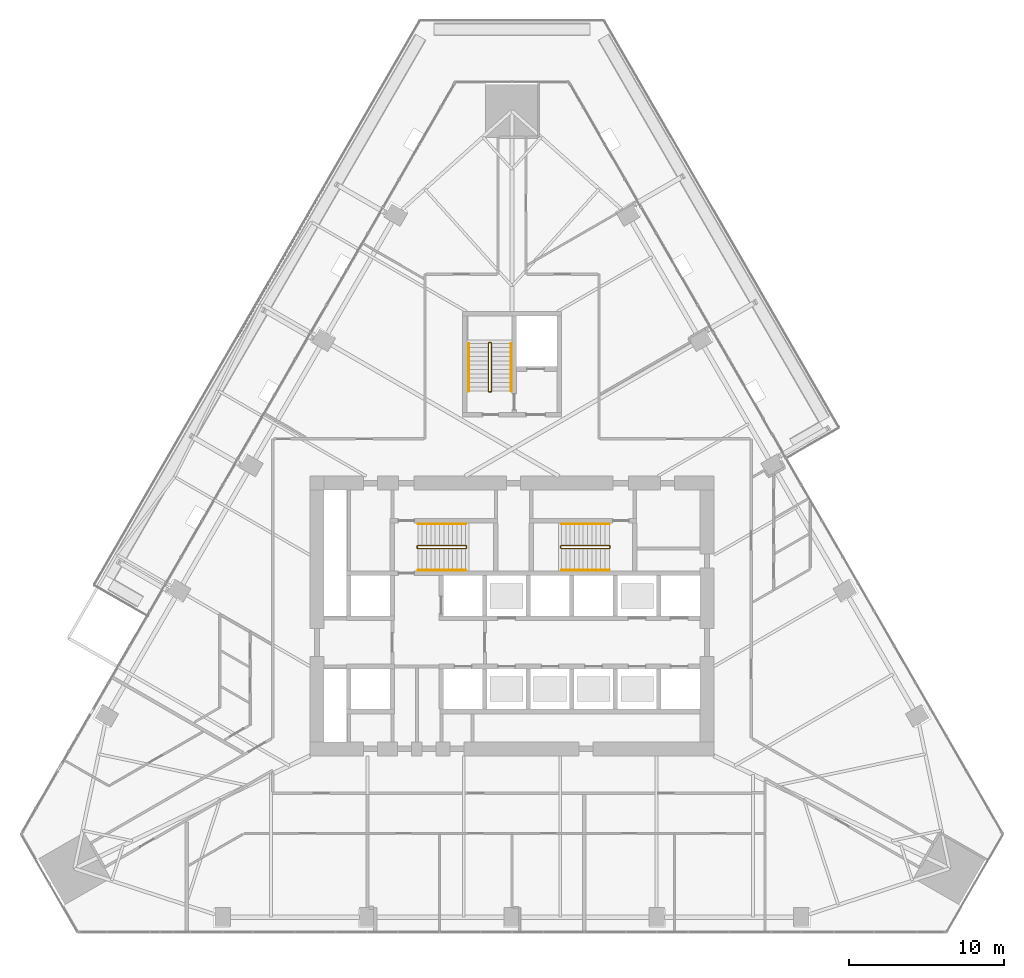
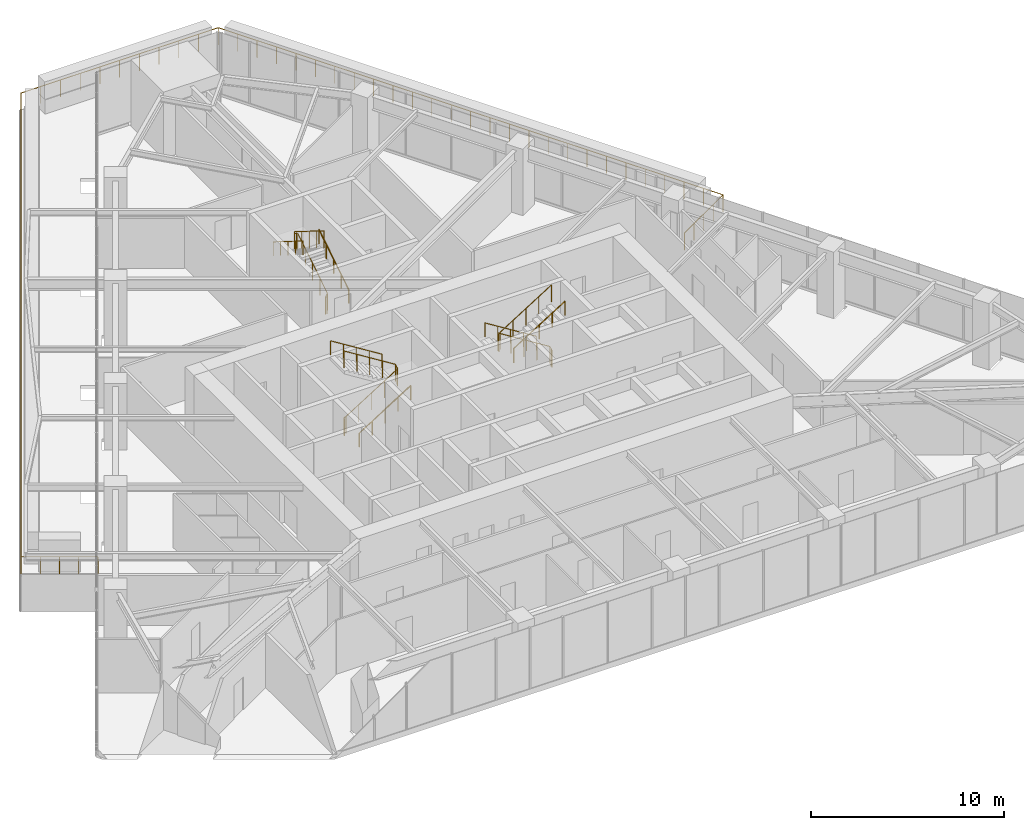
# One storey, part 24 of 26: 10 railings.
"""IFC4 building model written with IfcOpenShell, lengths in metres."""

from ifc_helpers import new_model, si_unit, direction, frame, origin, origin_2d, place, context, subcontext, project, spatial, circle, extrude, material, type_object, element, save


model = new_model("IFC4")

# Units and contexts
model_context = context("Model", 3, precision=1e-05, world=origin(), true_north=direction((0.0, 1.0)))
body_context = subcontext(model_context, "Body", "Model", "MODEL_VIEW")
ifc_project = project(units=[si_unit("LENGTHUNIT", "METRE"), si_unit("AREAUNIT", "SQUARE_METRE"), si_unit("VOLUMEUNIT", "CUBIC_METRE"), si_unit("PLANEANGLEUNIT", "RADIAN"), si_unit("MASSUNIT", "GRAM", prefix="KILO")], contexts=[model_context])

# Site, building, storey
site_placement = place(None, origin())
site = spatial("IfcSite", under=ifc_project, at=site_placement, CompositionType="ELEMENT")
building_placement = place(site_placement, origin())
building = spatial("IfcBuilding", under=site, at=building_placement, Name="Firuza Gate Tower and Library", CompositionType="ELEMENT")
storey_placement = place(building_placement, frame((0.0, 0.0, 115.60009765625)))
storey = spatial("IfcBuildingStorey", under=building, at=storey_placement, Name="L26", CompositionType="ELEMENT", Elevation=115.60009765625)

# Railings
ifc_material_1 = material(Name="Steel S355", Category="steel")
railing_type_1 = type_object("IfcRailingType", Name="Stair guard 1100", PredefinedType="GUARDRAIL", material=ifc_material_1)
railing_1_placement = place(storey_placement, frame((68.889892578125, 79.389892578125, 0.0)))
element("IfcRailing", 1, at=railing_1_placement, inside=storey, type_object=railing_type_1, Name="L26 ST1 stair guard 1", PredefinedType="GUARDRAIL", context=body_context, shape_type="SweptSolid", body=[
    extrude(circle(Radius=0.02392578125, at=origin_2d()), frame((0.0, 0.0, 1.076171875), z_axis=(0.0, 1.0, 0.0), x_axis=(-1.0, 0.0, 0.0)), (0.0, 0.0, 1.0), 0.10009765625),
    extrude(circle(Radius=0.02392578125, at=origin_2d()), frame((0.0, 0.10009765625, 1.076171875), z_axis=(0.212383695785, -0.636115069328, 0.741788908207), x_axis=(0.948528701346, 0.316691178788, 0.0)), (0.0, 0.0, 1.0), 0.235595703125),
    extrude(circle(Radius=0.02392578125, at=origin_2d()), frame((0.050048828125, -0.0498046875, 1.2509765625), z_axis=(0.847998304005, 0.0, 0.529998940003), x_axis=(0.0, 1.0, 0.0)), (0.0, 0.0, 1.0), 3.632080078125),
    extrude(circle(Radius=0.02392578125, at=origin_2d()), frame((3.130126953125, -0.0498046875, 3.17578125), z_axis=(0.708833529934, 0.705375805398, 0.0), x_axis=(-0.705375805398, 0.708833529934, 0.0)), (0.0, 0.0, 1.0), 0.070556640625),
    extrude(circle(Radius=0.02392578125, at=origin_2d()), frame((3.18017578125, 0.0, 3.17578125), z_axis=(0.0, 1.0, 0.0), x_axis=(-1.0, 0.0, 0.0)), (0.0, 0.0, 1.0), 0.10009765625),
    extrude(circle(Radius=0.02392578125, at=origin_2d()), frame((3.18017578125, 0.10009765625, 3.17578125), z_axis=(-0.265065253269, 0.265065253269, 0.927081885822), x_axis=(-0.707106781187, -0.707106781187, 0.0)), (0.0, 0.0, 1.0), 0.188720703125),
    extrude(circle(Radius=0.02392578125, at=origin_2d()), frame((3.130126953125, 0.150146484375, 3.35107421875), z_axis=(-0.847998304005, 0.0, 0.529998940003), x_axis=(0.0, -1.0, 0.0)), (0.0, 0.0, 1.0), 3.632080078125),
    extrude(circle(Radius=0.02099609375, at=origin_2d()), origin(), (0.0, 0.0, 1.0), 1.052001953125),
    extrude(circle(Radius=0.02099609375, at=origin_2d()), frame((0.0, 0.10009765625, 0.0)), (0.0, 0.0, 1.0), 1.052001953125),
    extrude(circle(Radius=0.02099609375, at=origin_2d()), frame((0.050048828125, -0.0498046875, 0.1748046875)), (0.0, 0.0, 1.0), 1.052001953125),
    extrude(circle(Radius=0.02099609375, at=origin_2d()), frame((0.820068359375, -0.0498046875, 0.656005859375)), (0.0, 0.0, 1.0), 1.052001953125),
    extrude(circle(Radius=0.02099609375, at=origin_2d()), frame((1.590087890625, -0.0498046875, 1.13720703125)), (0.0, 0.0, 1.0), 1.052001953125),
    extrude(circle(Radius=0.02099609375, at=origin_2d()), frame((2.360107421875, -0.0498046875, 1.61865234375)), (0.0, 0.0, 1.0), 1.052001953125),
    extrude(circle(Radius=0.02099609375, at=origin_2d()), frame((3.130126953125, -0.0498046875, 2.099853515625)), (0.0, 0.0, 1.0), 1.052001953125),
    extrude(circle(Radius=0.02099609375, at=origin_2d()), frame((3.18017578125, 0.0, 2.099853515625)), (0.0, 0.0, 1.0), 1.052001953125),
    extrude(circle(Radius=0.02099609375, at=origin_2d()), frame((3.18017578125, 0.10009765625, 2.099853515625)), (0.0, 0.0, 1.0), 1.052001953125),
    extrude(circle(Radius=0.02099609375, at=origin_2d()), frame((3.130126953125, 0.150146484375, 2.27490234375)), (0.0, 0.0, 1.0), 1.052001953125),
    extrude(circle(Radius=0.02099609375, at=origin_2d()), frame((2.360107421875, 0.150146484375, 2.756103515625)), (0.0, 0.0, 1.0), 1.052001953125),
    extrude(circle(Radius=0.02099609375, at=origin_2d()), frame((1.590087890625, 0.150146484375, 3.2373046875)), (0.0, 0.0, 1.0), 1.052001953125),
    extrude(circle(Radius=0.02099609375, at=origin_2d()), frame((0.820068359375, 0.150146484375, 3.71875)), (0.0, 0.0, 1.0), 1.052001953125),
    extrude(circle(Radius=0.02099609375, at=origin_2d()), frame((0.050048828125, 0.150146484375, 4.199951171875)), (0.0, 0.0, 1.0), 1.052001953125),
])
railing_2_placement = place(storey_placement, frame((81.31005859375, 79.489990234375, 0.0)))
element("IfcRailing", 2, at=railing_2_placement, inside=storey, type_object=railing_type_1, Name="L26 ST2 stair guard 1", PredefinedType="GUARDRAIL", context=body_context, shape_type="SweptSolid", body=[
    extrude(circle(Radius=0.02392578125, at=origin_2d()), frame((0.0, 0.0, 1.076171875), z_axis=(0.0, -1.0, 0.0), x_axis=(1.0, 0.0, 0.0)), (0.0, 0.0, 1.0), 0.10009765625),
    extrude(circle(Radius=0.02392578125, at=origin_2d()), frame((0.0, -0.10009765625, 1.076171875), z_axis=(-0.21224375372, 0.63673126116, 0.741300134944), x_axis=(-0.948683298051, -0.316227766017, 0.0)), (0.0, 0.0, 1.0), 0.23583984375),
    extrude(circle(Radius=0.02392578125, at=origin_2d()), frame((-0.050048828125, 0.050048828125, 1.2509765625), z_axis=(-0.847998304005, 0.0, 0.529998940003), x_axis=(0.0, -1.0, 0.0)), (0.0, 0.0, 1.0), 3.632080078125),
    extrude(circle(Radius=0.02392578125, at=origin_2d()), frame((-3.130126953125, 0.050048828125, 3.17578125), z_axis=(-0.707106781187, -0.707106781187, 0.0), x_axis=(0.707106781187, -0.707106781187, 0.0)), (0.0, 0.0, 1.0), 0.07080078125),
    extrude(circle(Radius=0.02392578125, at=origin_2d()), frame((-3.18017578125, 0.0, 3.17578125), z_axis=(0.0, -1.0, 0.0), x_axis=(1.0, 0.0, 0.0)), (0.0, 0.0, 1.0), 0.10009765625),
    extrude(circle(Radius=0.02392578125, at=origin_2d()), frame((-3.18017578125, -0.10009765625, 3.17578125), z_axis=(0.265155923931, -0.263862480399, 0.927399011991), x_axis=(0.705375805398, 0.708833529934, 0.0)), (0.0, 0.0, 1.0), 0.188720703125),
    extrude(circle(Radius=0.02392578125, at=origin_2d()), frame((-3.130126953125, -0.14990234375, 3.35107421875), z_axis=(0.847998304005, 0.0, 0.529998940003), x_axis=(0.0, 1.0, 0.0)), (0.0, 0.0, 1.0), 3.632080078125),
    extrude(circle(Radius=0.02099609375, at=origin_2d()), origin(), (0.0, 0.0, 1.0), 1.052001953125),
    extrude(circle(Radius=0.02099609375, at=origin_2d()), frame((0.0, -0.10009765625, 0.0)), (0.0, 0.0, 1.0), 1.052001953125),
    extrude(circle(Radius=0.02099609375, at=origin_2d()), frame((-0.050048828125, 0.050048828125, 0.1748046875)), (0.0, 0.0, 1.0), 1.052001953125),
    extrude(circle(Radius=0.02099609375, at=origin_2d()), frame((-0.820068359375, 0.050048828125, 0.656005859375)), (0.0, 0.0, 1.0), 1.052001953125),
    extrude(circle(Radius=0.02099609375, at=origin_2d()), frame((-1.590087890625, 0.050048828125, 1.13720703125)), (0.0, 0.0, 1.0), 1.052001953125),
    extrude(circle(Radius=0.02099609375, at=origin_2d()), frame((-2.360107421875, 0.050048828125, 1.61865234375)), (0.0, 0.0, 1.0), 1.052001953125),
    extrude(circle(Radius=0.02099609375, at=origin_2d()), frame((-3.130126953125, 0.050048828125, 2.099853515625)), (0.0, 0.0, 1.0), 1.052001953125),
    extrude(circle(Radius=0.02099609375, at=origin_2d()), frame((-3.18017578125, 0.0, 2.099853515625)), (0.0, 0.0, 1.0), 1.052001953125),
    extrude(circle(Radius=0.02099609375, at=origin_2d()), frame((-3.18017578125, -0.10009765625, 2.099853515625)), (0.0, 0.0, 1.0), 1.052001953125),
    extrude(circle(Radius=0.02099609375, at=origin_2d()), frame((-3.130126953125, -0.14990234375, 2.27490234375)), (0.0, 0.0, 1.0), 1.052001953125),
    extrude(circle(Radius=0.02099609375, at=origin_2d()), frame((-2.360107421875, -0.14990234375, 2.756103515625)), (0.0, 0.0, 1.0), 1.052001953125),
    extrude(circle(Radius=0.02099609375, at=origin_2d()), frame((-1.590087890625, -0.14990234375, 3.2373046875)), (0.0, 0.0, 1.0), 1.052001953125),
    extrude(circle(Radius=0.02099609375, at=origin_2d()), frame((-0.820068359375, -0.14990234375, 3.71875)), (0.0, 0.0, 1.0), 1.052001953125),
    extrude(circle(Radius=0.02099609375, at=origin_2d()), frame((-0.050048828125, -0.14990234375, 4.199951171875)), (0.0, 0.0, 1.0), 1.052001953125),
])
railing_3_placement = place(storey_placement, frame((73.6298828125, 89.419921875, 0.0)))
element("IfcRailing", 3, at=railing_3_placement, inside=storey, type_object=railing_type_1, Name="L26 ST3 stair guard 1", PredefinedType="GUARDRAIL", context=body_context, shape_type="SweptSolid", body=[
    extrude(circle(Radius=0.02392578125, at=origin_2d()), frame((0.0, 0.0, 1.076171875), z_axis=(-1.0, 0.0, 0.0), x_axis=(0.0, -1.0, 0.0)), (0.0, 0.0, 1.0), 0.099853515625),
    extrude(circle(Radius=0.02392578125, at=origin_2d()), frame((-0.099853515625, 0.0, 1.076171875), z_axis=(0.636115069328, 0.212383695785, 0.741788908207), x_axis=(-0.316691178788, 0.948528701346, 0.0)), (0.0, 0.0, 1.0), 0.235595703125),
    extrude(circle(Radius=0.02392578125, at=origin_2d()), frame((0.050048828125, 0.050048828125, 1.2509765625), z_axis=(0.0, 0.847998304005, 0.529998940003), x_axis=(-1.0, 0.0, 0.0)), (0.0, 0.0, 1.0), 3.632080078125),
    extrude(circle(Radius=0.02392578125, at=origin_2d()), frame((0.050048828125, 3.130126953125, 3.17578125), z_axis=(-0.707106781187, 0.707106781187, 0.0), x_axis=(-0.707106781187, -0.707106781187, 0.0)), (0.0, 0.0, 1.0), 0.07080078125),
    extrude(circle(Radius=0.02392578125, at=origin_2d()), frame((0.0, 3.18017578125, 3.17578125), z_axis=(-1.0, 0.0, 0.0), x_axis=(0.0, -1.0, 0.0)), (0.0, 0.0, 1.0), 0.099853515625),
    extrude(circle(Radius=0.02392578125, at=origin_2d()), frame((-0.099853515625, 3.18017578125, 3.17578125), z_axis=(-0.265065253269, -0.265065253269, 0.927081885822), x_axis=(0.707106781187, -0.707106781187, 0.0)), (0.0, 0.0, 1.0), 0.188720703125),
    extrude(circle(Radius=0.02392578125, at=origin_2d()), frame((-0.14990234375, 3.130126953125, 3.35107421875), z_axis=(0.0, -0.847998304005, 0.529998940003), x_axis=(1.0, 0.0, 0.0)), (0.0, 0.0, 1.0), 3.632080078125),
    extrude(circle(Radius=0.02099609375, at=origin_2d()), origin(), (0.0, 0.0, 1.0), 1.052001953125),
    extrude(circle(Radius=0.02099609375, at=origin_2d()), frame((-0.099853515625, 0.0, 0.0)), (0.0, 0.0, 1.0), 1.052001953125),
    extrude(circle(Radius=0.02099609375, at=origin_2d()), frame((0.050048828125, 0.050048828125, 0.1748046875)), (0.0, 0.0, 1.0), 1.052001953125),
    extrude(circle(Radius=0.02099609375, at=origin_2d()), frame((0.050048828125, 0.820068359375, 0.656005859375)), (0.0, 0.0, 1.0), 1.052001953125),
    extrude(circle(Radius=0.02099609375, at=origin_2d()), frame((0.050048828125, 1.590087890625, 1.13720703125)), (0.0, 0.0, 1.0), 1.052001953125),
    extrude(circle(Radius=0.02099609375, at=origin_2d()), frame((0.050048828125, 2.360107421875, 1.61865234375)), (0.0, 0.0, 1.0), 1.052001953125),
    extrude(circle(Radius=0.02099609375, at=origin_2d()), frame((0.050048828125, 3.130126953125, 2.099853515625)), (0.0, 0.0, 1.0), 1.052001953125),
    extrude(circle(Radius=0.02099609375, at=origin_2d()), frame((0.0, 3.18017578125, 2.099853515625)), (0.0, 0.0, 1.0), 1.052001953125),
    extrude(circle(Radius=0.02099609375, at=origin_2d()), frame((-0.099853515625, 3.18017578125, 2.099853515625)), (0.0, 0.0, 1.0), 1.052001953125),
    extrude(circle(Radius=0.02099609375, at=origin_2d()), frame((-0.14990234375, 3.130126953125, 2.27490234375)), (0.0, 0.0, 1.0), 1.052001953125),
    extrude(circle(Radius=0.02099609375, at=origin_2d()), frame((-0.14990234375, 2.360107421875, 2.756103515625)), (0.0, 0.0, 1.0), 1.052001953125),
    extrude(circle(Radius=0.02099609375, at=origin_2d()), frame((-0.14990234375, 1.590087890625, 3.2373046875)), (0.0, 0.0, 1.0), 1.052001953125),
    extrude(circle(Radius=0.02099609375, at=origin_2d()), frame((-0.14990234375, 0.820068359375, 3.71875)), (0.0, 0.0, 1.0), 1.052001953125),
    extrude(circle(Radius=0.02099609375, at=origin_2d()), frame((-0.14990234375, 0.050048828125, 4.199951171875)), (0.0, 0.0, 1.0), 1.052001953125),
])
ifc_material_2 = material(Name="Steel S355", Category="steel")
railing_type_2 = type_object("IfcRailingType", Name="Stair handrail 900", PredefinedType="HANDRAIL", material=ifc_material_2)
railing_4_placement = place(storey_placement, frame((68.93994140625, 77.949951171875, 0.1748046875)))
element("IfcRailing", 4, at=railing_4_placement, inside=storey, type_object=railing_type_2, Name="L26 ST1 stair handrail 1", PredefinedType="HANDRAIL", context=body_context, shape_type="SweptSolid", body=[
    extrude(circle(Radius=0.02392578125, at=origin_2d()), frame((0.0, 0.0, 0.8759765625), z_axis=(0.847998304005, 0.0, 0.529998940003), x_axis=(0.0, 1.0, 0.0)), (0.0, 0.0, 1.0), 3.632080078125),
    extrude(circle(Radius=0.02099609375, at=origin_2d()), origin(), (0.0, 0.0, 1.0), 0.851806640625),
    extrude(circle(Radius=0.02099609375, at=origin_2d()), frame((0.77001953125, 0.0, 0.481201171875)), (0.0, 0.0, 1.0), 0.851806640625),
    extrude(circle(Radius=0.02099609375, at=origin_2d()), frame((1.5400390625, 0.0, 0.96240234375)), (0.0, 0.0, 1.0), 0.851806640625),
    extrude(circle(Radius=0.02099609375, at=origin_2d()), frame((2.31005859375, 0.0, 1.44384765625)), (0.0, 0.0, 1.0), 0.851806640625),
    extrude(circle(Radius=0.02099609375, at=origin_2d()), frame((3.080078125, 0.0, 1.925048828125)), (0.0, 0.0, 1.0), 0.851806640625),
])
for number, where, name in (
    (5, (72.02001953125, 80.929931640625, 2.27490234375), "L26 ST1 stair handrail 2"),
    (6, (81.260009765625, 80.929931640625, 0.1748046875), "L26 ST2 stair handrail 1"),
):
    element("IfcRailing", number, at=place(storey_placement, frame(where)), inside=storey, type_object=railing_type_2, Name=name, PredefinedType="HANDRAIL", context=body_context, shape_type="SweptSolid", body=[
        extrude(circle(Radius=0.02392578125, at=origin_2d()), frame((0.0, 0.0, 0.8759765625), z_axis=(-0.847998304005, 0.0, 0.529998940003), x_axis=(0.0, -1.0, 0.0)), (0.0, 0.0, 1.0), 3.632080078125),
        extrude(circle(Radius=0.02099609375, at=origin_2d()), origin(), (0.0, 0.0, 1.0), 0.851806640625),
        extrude(circle(Radius=0.02099609375, at=origin_2d()), frame((-0.77001953125, 0.0, 0.481201171875)), (0.0, 0.0, 1.0), 0.851806640625),
        extrude(circle(Radius=0.02099609375, at=origin_2d()), frame((-1.5400390625, 0.0, 0.96240234375)), (0.0, 0.0, 1.0), 0.851806640625),
        extrude(circle(Radius=0.02099609375, at=origin_2d()), frame((-2.31005859375, 0.0, 1.44384765625)), (0.0, 0.0, 1.0), 0.851806640625),
        extrude(circle(Radius=0.02099609375, at=origin_2d()), frame((-3.080078125, 0.0, 1.925048828125)), (0.0, 0.0, 1.0), 0.851806640625),
    ])
railing_5_placement = place(storey_placement, frame((78.179931640625, 77.949951171875, 2.27490234375)))
element("IfcRailing", 7, at=railing_5_placement, inside=storey, type_object=railing_type_2, Name="L26 ST2 stair handrail 2", PredefinedType="HANDRAIL", context=body_context, shape_type="SweptSolid", body=[
    extrude(circle(Radius=0.02392578125, at=origin_2d()), frame((0.0, 0.0, 0.8759765625), z_axis=(0.847998304005, 0.0, 0.529998940003), x_axis=(0.0, 1.0, 0.0)), (0.0, 0.0, 1.0), 3.632080078125),
    extrude(circle(Radius=0.02099609375, at=origin_2d()), origin(), (0.0, 0.0, 1.0), 0.851806640625),
    extrude(circle(Radius=0.02099609375, at=origin_2d()), frame((0.77001953125, 0.0, 0.481201171875)), (0.0, 0.0, 1.0), 0.851806640625),
    extrude(circle(Radius=0.02099609375, at=origin_2d()), frame((1.5400390625, 0.0, 0.96240234375)), (0.0, 0.0, 1.0), 0.851806640625),
    extrude(circle(Radius=0.02099609375, at=origin_2d()), frame((2.31005859375, 0.0, 1.44384765625)), (0.0, 0.0, 1.0), 0.851806640625),
    extrude(circle(Radius=0.02099609375, at=origin_2d()), frame((3.080078125, 0.0, 1.925048828125)), (0.0, 0.0, 1.0), 0.851806640625),
])
railing_6_placement = place(storey_placement, frame((74.949951171875, 89.469970703125, 0.1748046875)))
element("IfcRailing", 8, at=railing_6_placement, inside=storey, type_object=railing_type_2, Name="L26 ST3 stair handrail 1", PredefinedType="HANDRAIL", context=body_context, shape_type="SweptSolid", body=[
    extrude(circle(Radius=0.02392578125, at=origin_2d()), frame((0.0, 0.0, 0.8759765625), z_axis=(0.0, 0.847998304005, 0.529998940003), x_axis=(-1.0, 0.0, 0.0)), (0.0, 0.0, 1.0), 3.632080078125),
    extrude(circle(Radius=0.02099609375, at=origin_2d()), origin(), (0.0, 0.0, 1.0), 0.851806640625),
    extrude(circle(Radius=0.02099609375, at=origin_2d()), frame((0.0, 0.77001953125, 0.481201171875)), (0.0, 0.0, 1.0), 0.851806640625),
    extrude(circle(Radius=0.02099609375, at=origin_2d()), frame((0.0, 1.5400390625, 0.96240234375)), (0.0, 0.0, 1.0), 0.851806640625),
    extrude(circle(Radius=0.02099609375, at=origin_2d()), frame((0.0, 2.31005859375, 1.44384765625)), (0.0, 0.0, 1.0), 0.851806640625),
    extrude(circle(Radius=0.02099609375, at=origin_2d()), frame((0.0, 3.080078125, 1.925048828125)), (0.0, 0.0, 1.0), 0.851806640625),
])
railing_7_placement = place(storey_placement, frame((72.2099609375, 92.550048828125, 2.27490234375)))
element("IfcRailing", 9, at=railing_7_placement, inside=storey, type_object=railing_type_2, Name="L26 ST3 stair handrail 2", PredefinedType="HANDRAIL", context=body_context, shape_type="SweptSolid", body=[
    extrude(circle(Radius=0.02392578125, at=origin_2d()), frame((0.0, 0.0, 0.8759765625), z_axis=(0.0, -0.847998304005, 0.529998940003), x_axis=(1.0, 0.0, 0.0)), (0.0, 0.0, 1.0), 3.632080078125),
    extrude(circle(Radius=0.02099609375, at=origin_2d()), origin(), (0.0, 0.0, 1.0), 0.851806640625),
    extrude(circle(Radius=0.02099609375, at=origin_2d()), frame((0.0, -0.77001953125, 0.481201171875)), (0.0, 0.0, 1.0), 0.851806640625),
    extrude(circle(Radius=0.02099609375, at=origin_2d()), frame((0.0, -1.5400390625, 0.96240234375)), (0.0, 0.0, 1.0), 0.851806640625),
    extrude(circle(Radius=0.02099609375, at=origin_2d()), frame((0.0, -2.31005859375, 1.44384765625)), (0.0, 0.0, 1.0), 0.851806640625),
    extrude(circle(Radius=0.02099609375, at=origin_2d()), frame((0.0, -3.080078125, 1.925048828125)), (0.0, 0.0, 1.0), 0.851806640625),
])
ifc_material_3 = material(Name="Steel S355", Category="steel")
railing_type_3 = type_object("IfcRailingType", Name="Terrace guard 1100", PredefinedType="GUARDRAIL", material=ifc_material_3)
railing_8_placement = place(storey_placement, frame((92.5576171875, 85.136962890625, 0.0)))
element("IfcRailing", 10, at=railing_8_placement, inside=storey, type_object=railing_type_3, Name="Tray guard L26", PredefinedType="GUARDRAIL", context=body_context, shape_type="SweptSolid", body=[
    extrude(circle(Radius=0.02392578125, at=origin_2d()), frame((0.0, 0.0, 1.076171875), z_axis=(0.866026010844, 0.49999894854, 0.0), x_axis=(-0.49999894854, 0.866026010844, 0.0)), (0.0, 0.0, 1.0), 4.0),
    extrude(circle(Radius=0.02392578125, at=origin_2d()), frame((3.464111328125, 2.0, 1.076171875), z_axis=(-0.500003305285, 0.866023495469, 0.0), x_axis=(-0.866023495469, -0.500003305285, 0.0)), (0.0, 0.0, 1.0), 30.224365234375),
    extrude(circle(Radius=0.02392578125, at=origin_2d()), frame((-11.648193359375, 28.175048828125, 1.076171875), z_axis=(-1.0, 0.0, 0.0), x_axis=(0.0, -1.0, 0.0)), (0.0, 0.0, 1.0), 11.81884765625),
    extrude(circle(Radius=0.02392578125, at=origin_2d()), frame((-23.467041015625, 28.175048828125, 1.076171875), z_axis=(-0.500001681558, -0.866024432934, 0.0), x_axis=(0.866024432934, -0.500001681558, 0.0)), (0.0, 0.0, 1.0), 41.929443359375),
    extrude(circle(Radius=0.02392578125, at=origin_2d()), frame((-44.431884765625, -8.136962890625, 1.076171875), z_axis=(0.866026010844, -0.49999894854, 0.0), x_axis=(0.49999894854, 0.866026010844, 0.0)), (0.0, 0.0, 1.0), 4.0),
    extrude(circle(Radius=0.02099609375, at=origin_2d()), origin(), (0.0, 0.0, 1.0), 1.052001953125),
    extrude(circle(Radius=0.02099609375, at=origin_2d()), frame((0.865966796875, 0.5, 0.0)), (0.0, 0.0, 1.0), 1.052001953125),
    extrude(circle(Radius=0.02099609375, at=origin_2d()), frame((1.73193359375, 1.0, 0.0)), (0.0, 0.0, 1.0), 1.052001953125),
    extrude(circle(Radius=0.02099609375, at=origin_2d()), frame((2.59814453125, 1.5, 0.0)), (0.0, 0.0, 1.0), 1.052001953125),
    extrude(circle(Radius=0.02099609375, at=origin_2d()), frame((3.464111328125, 2.0, 0.0)), (0.0, 0.0, 1.0), 1.052001953125),
    extrude(circle(Radius=0.02099609375, at=origin_2d()), frame((2.8828125, 3.0068359375, 0.0)), (0.0, 0.0, 1.0), 1.052001953125),
    extrude(circle(Radius=0.02099609375, at=origin_2d()), frame((2.301513671875, 4.013427734375, 0.0)), (0.0, 0.0, 1.0), 1.052001953125),
    extrude(circle(Radius=0.02099609375, at=origin_2d()), frame((1.720458984375, 5.020263671875, 0.0)), (0.0, 0.0, 1.0), 1.052001953125),
    extrude(circle(Radius=0.02099609375, at=origin_2d()), frame((1.13916015625, 6.02685546875, 0.0)), (0.0, 0.0, 1.0), 1.052001953125),
    extrude(circle(Radius=0.02099609375, at=origin_2d()), frame((0.557861328125, 7.03369140625, 0.0)), (0.0, 0.0, 1.0), 1.052001953125),
    extrude(circle(Radius=0.02099609375, at=origin_2d()), frame((-0.0234375, 8.040283203125, 0.0)), (0.0, 0.0, 1.0), 1.052001953125),
    extrude(circle(Radius=0.02099609375, at=origin_2d()), frame((-0.6044921875, 9.047119140625, 0.0)), (0.0, 0.0, 1.0), 1.052001953125),
    extrude(circle(Radius=0.02099609375, at=origin_2d()), frame((-1.185791015625, 10.053955078125, 0.0)), (0.0, 0.0, 1.0), 1.052001953125),
    extrude(circle(Radius=0.02099609375, at=origin_2d()), frame((-1.76708984375, 11.060546875, 0.0)), (0.0, 0.0, 1.0), 1.052001953125),
    extrude(circle(Radius=0.02099609375, at=origin_2d()), frame((-2.348388671875, 12.0673828125, 0.0)), (0.0, 0.0, 1.0), 1.052001953125),
    extrude(circle(Radius=0.02099609375, at=origin_2d()), frame((-2.929443359375, 13.073974609375, 0.0)), (0.0, 0.0, 1.0), 1.052001953125),
    extrude(circle(Radius=0.02099609375, at=origin_2d()), frame((-3.5107421875, 14.080810546875, 0.0)), (0.0, 0.0, 1.0), 1.052001953125),
    extrude(circle(Radius=0.02099609375, at=origin_2d()), frame((-4.092041015625, 15.08740234375, 0.0)), (0.0, 0.0, 1.0), 1.052001953125),
    extrude(circle(Radius=0.02099609375, at=origin_2d()), frame((-4.67333984375, 16.09423828125, 0.0)), (0.0, 0.0, 1.0), 1.052001953125),
    extrude(circle(Radius=0.02099609375, at=origin_2d()), frame((-5.254638671875, 17.10107421875, 0.0)), (0.0, 0.0, 1.0), 1.052001953125),
    extrude(circle(Radius=0.02099609375, at=origin_2d()), frame((-5.835693359375, 18.107666015625, 0.0)), (0.0, 0.0, 1.0), 1.052001953125),
    extrude(circle(Radius=0.02099609375, at=origin_2d()), frame((-6.4169921875, 19.114501953125, 0.0)), (0.0, 0.0, 1.0), 1.052001953125),
    extrude(circle(Radius=0.02099609375, at=origin_2d()), frame((-6.998291015625, 20.12109375, 0.0)), (0.0, 0.0, 1.0), 1.052001953125),
    extrude(circle(Radius=0.02099609375, at=origin_2d()), frame((-7.57958984375, 21.1279296875, 0.0)), (0.0, 0.0, 1.0), 1.052001953125),
    extrude(circle(Radius=0.02099609375, at=origin_2d()), frame((-8.16064453125, 22.134765625, 0.0)), (0.0, 0.0, 1.0), 1.052001953125),
    extrude(circle(Radius=0.02099609375, at=origin_2d()), frame((-8.741943359375, 23.141357421875, 0.0)), (0.0, 0.0, 1.0), 1.052001953125),
    extrude(circle(Radius=0.02099609375, at=origin_2d()), frame((-9.3232421875, 24.148193359375, 0.0)), (0.0, 0.0, 1.0), 1.052001953125),
    extrude(circle(Radius=0.02099609375, at=origin_2d()), frame((-9.904541015625, 25.15478515625, 0.0)), (0.0, 0.0, 1.0), 1.052001953125),
    extrude(circle(Radius=0.02099609375, at=origin_2d()), frame((-10.485595703125, 26.16162109375, 0.0)), (0.0, 0.0, 1.0), 1.052001953125),
    extrude(circle(Radius=0.02099609375, at=origin_2d()), frame((-11.06689453125, 27.168212890625, 0.0)), (0.0, 0.0, 1.0), 1.052001953125),
    extrude(circle(Radius=0.02099609375, at=origin_2d()), frame((-11.648193359375, 28.175048828125, 0.0)), (0.0, 0.0, 1.0), 1.052001953125),
    extrude(circle(Radius=0.02099609375, at=origin_2d()), frame((-12.830078125, 28.175048828125, 0.0)), (0.0, 0.0, 1.0), 1.052001953125),
    extrude(circle(Radius=0.02099609375, at=origin_2d()), frame((-14.011962890625, 28.175048828125, 0.0)), (0.0, 0.0, 1.0), 1.052001953125),
    extrude(circle(Radius=0.02099609375, at=origin_2d()), frame((-15.19384765625, 28.175048828125, 0.0)), (0.0, 0.0, 1.0), 1.052001953125),
    extrude(circle(Radius=0.02099609375, at=origin_2d()), frame((-16.375732421875, 28.175048828125, 0.0)), (0.0, 0.0, 1.0), 1.052001953125),
    extrude(circle(Radius=0.02099609375, at=origin_2d()), frame((-17.5576171875, 28.175048828125, 0.0)), (0.0, 0.0, 1.0), 1.052001953125),
    extrude(circle(Radius=0.02099609375, at=origin_2d()), frame((-18.739501953125, 28.175048828125, 0.0)), (0.0, 0.0, 1.0), 1.052001953125),
    extrude(circle(Radius=0.02099609375, at=origin_2d()), frame((-19.92138671875, 28.175048828125, 0.0)), (0.0, 0.0, 1.0), 1.052001953125),
    extrude(circle(Radius=0.02099609375, at=origin_2d()), frame((-21.103271484375, 28.175048828125, 0.0)), (0.0, 0.0, 1.0), 1.052001953125),
    extrude(circle(Radius=0.02099609375, at=origin_2d()), frame((-22.28515625, 28.175048828125, 0.0)), (0.0, 0.0, 1.0), 1.052001953125),
    extrude(circle(Radius=0.02099609375, at=origin_2d()), frame((-23.467041015625, 28.175048828125, 0.0)), (0.0, 0.0, 1.0), 1.052001953125),
    extrude(circle(Radius=0.02099609375, at=origin_2d()), frame((-24.06591796875, 27.137451171875, 0.0)), (0.0, 0.0, 1.0), 1.052001953125),
    extrude(circle(Radius=0.02099609375, at=origin_2d()), frame((-24.6650390625, 26.10009765625, 0.0)), (0.0, 0.0, 1.0), 1.052001953125),
    extrude(circle(Radius=0.02099609375, at=origin_2d()), frame((-25.263916015625, 25.0625, 0.0)), (0.0, 0.0, 1.0), 1.052001953125),
    extrude(circle(Radius=0.02099609375, at=origin_2d()), frame((-25.863037109375, 24.025146484375, 0.0)), (0.0, 0.0, 1.0), 1.052001953125),
    extrude(circle(Radius=0.02099609375, at=origin_2d()), frame((-26.4619140625, 22.987548828125, 0.0)), (0.0, 0.0, 1.0), 1.052001953125),
    extrude(circle(Radius=0.02099609375, at=origin_2d()), frame((-27.06103515625, 21.9501953125, 0.0)), (0.0, 0.0, 1.0), 1.052001953125),
    extrude(circle(Radius=0.02099609375, at=origin_2d()), frame((-27.659912109375, 20.91259765625, 0.0)), (0.0, 0.0, 1.0), 1.052001953125),
    extrude(circle(Radius=0.02099609375, at=origin_2d()), frame((-28.259033203125, 19.875244140625, 0.0)), (0.0, 0.0, 1.0), 1.052001953125),
    extrude(circle(Radius=0.02099609375, at=origin_2d()), frame((-28.85791015625, 18.837646484375, 0.0)), (0.0, 0.0, 1.0), 1.052001953125),
    extrude(circle(Radius=0.02099609375, at=origin_2d()), frame((-29.45703125, 17.80029296875, 0.0)), (0.0, 0.0, 1.0), 1.052001953125),
    extrude(circle(Radius=0.02099609375, at=origin_2d()), frame((-30.055908203125, 16.7626953125, 0.0)), (0.0, 0.0, 1.0), 1.052001953125),
    extrude(circle(Radius=0.02099609375, at=origin_2d()), frame((-30.655029296875, 15.72509765625, 0.0)), (0.0, 0.0, 1.0), 1.052001953125),
    extrude(circle(Radius=0.02099609375, at=origin_2d()), frame((-31.25390625, 14.687744140625, 0.0)), (0.0, 0.0, 1.0), 1.052001953125),
    extrude(circle(Radius=0.02099609375, at=origin_2d()), frame((-31.85302734375, 13.650146484375, 0.0)), (0.0, 0.0, 1.0), 1.052001953125),
    extrude(circle(Radius=0.02099609375, at=origin_2d()), frame((-32.451904296875, 12.61279296875, 0.0)), (0.0, 0.0, 1.0), 1.052001953125),
    extrude(circle(Radius=0.02099609375, at=origin_2d()), frame((-33.051025390625, 11.5751953125, 0.0)), (0.0, 0.0, 1.0), 1.052001953125),
    extrude(circle(Radius=0.02099609375, at=origin_2d()), frame((-33.64990234375, 10.537841796875, 0.0)), (0.0, 0.0, 1.0), 1.052001953125),
    extrude(circle(Radius=0.02099609375, at=origin_2d()), frame((-34.2490234375, 9.500244140625, 0.0)), (0.0, 0.0, 1.0), 1.052001953125),
    extrude(circle(Radius=0.02099609375, at=origin_2d()), frame((-34.847900390625, 8.462890625, 0.0)), (0.0, 0.0, 1.0), 1.052001953125),
    extrude(circle(Radius=0.02099609375, at=origin_2d()), frame((-35.447021484375, 7.42529296875, 0.0)), (0.0, 0.0, 1.0), 1.052001953125),
    extrude(circle(Radius=0.02099609375, at=origin_2d()), frame((-36.0458984375, 6.387939453125, 0.0)), (0.0, 0.0, 1.0), 1.052001953125),
    extrude(circle(Radius=0.02099609375, at=origin_2d()), frame((-36.64501953125, 5.350341796875, 0.0)), (0.0, 0.0, 1.0), 1.052001953125),
    extrude(circle(Radius=0.02099609375, at=origin_2d()), frame((-37.243896484375, 4.31298828125, 0.0)), (0.0, 0.0, 1.0), 1.052001953125),
    extrude(circle(Radius=0.02099609375, at=origin_2d()), frame((-37.843017578125, 3.275390625, 0.0)), (0.0, 0.0, 1.0), 1.052001953125),
    extrude(circle(Radius=0.02099609375, at=origin_2d()), frame((-38.44189453125, 2.23779296875, 0.0)), (0.0, 0.0, 1.0), 1.052001953125),
    extrude(circle(Radius=0.02099609375, at=origin_2d()), frame((-39.041015625, 1.200439453125, 0.0)), (0.0, 0.0, 1.0), 1.052001953125),
    extrude(circle(Radius=0.02099609375, at=origin_2d()), frame((-39.639892578125, 0.162841796875, 0.0)), (0.0, 0.0, 1.0), 1.052001953125),
    extrude(circle(Radius=0.02099609375, at=origin_2d()), frame((-40.239013671875, -0.87451171875, 0.0)), (0.0, 0.0, 1.0), 1.052001953125),
    extrude(circle(Radius=0.02099609375, at=origin_2d()), frame((-40.837890625, -1.912109375, 0.0)), (0.0, 0.0, 1.0), 1.052001953125),
    extrude(circle(Radius=0.02099609375, at=origin_2d()), frame((-41.43701171875, -2.949462890625, 0.0)), (0.0, 0.0, 1.0), 1.052001953125),
    extrude(circle(Radius=0.02099609375, at=origin_2d()), frame((-42.035888671875, -3.987060546875, 0.0)), (0.0, 0.0, 1.0), 1.052001953125),
    extrude(circle(Radius=0.02099609375, at=origin_2d()), frame((-42.635009765625, -5.0244140625, 0.0)), (0.0, 0.0, 1.0), 1.052001953125),
    extrude(circle(Radius=0.02099609375, at=origin_2d()), frame((-43.23388671875, -6.06201171875, 0.0)), (0.0, 0.0, 1.0), 1.052001953125),
    extrude(circle(Radius=0.02099609375, at=origin_2d()), frame((-43.8330078125, -7.099365234375, 0.0)), (0.0, 0.0, 1.0), 1.052001953125),
    extrude(circle(Radius=0.02099609375, at=origin_2d()), frame((-44.431884765625, -8.136962890625, 0.0)), (0.0, 0.0, 1.0), 1.052001953125),
    extrude(circle(Radius=0.02099609375, at=origin_2d()), frame((-43.56591796875, -8.636962890625, 0.0)), (0.0, 0.0, 1.0), 1.052001953125),
    extrude(circle(Radius=0.02099609375, at=origin_2d()), frame((-42.69970703125, -9.136962890625, 0.0)), (0.0, 0.0, 1.0), 1.052001953125),
    extrude(circle(Radius=0.02099609375, at=origin_2d()), frame((-41.833740234375, -9.636962890625, 0.0)), (0.0, 0.0, 1.0), 1.052001953125),
    extrude(circle(Radius=0.02099609375, at=origin_2d()), frame((-40.9677734375, -10.136962890625, 0.0)), (0.0, 0.0, 1.0), 1.052001953125),
])

save(model, "model.ifc")
